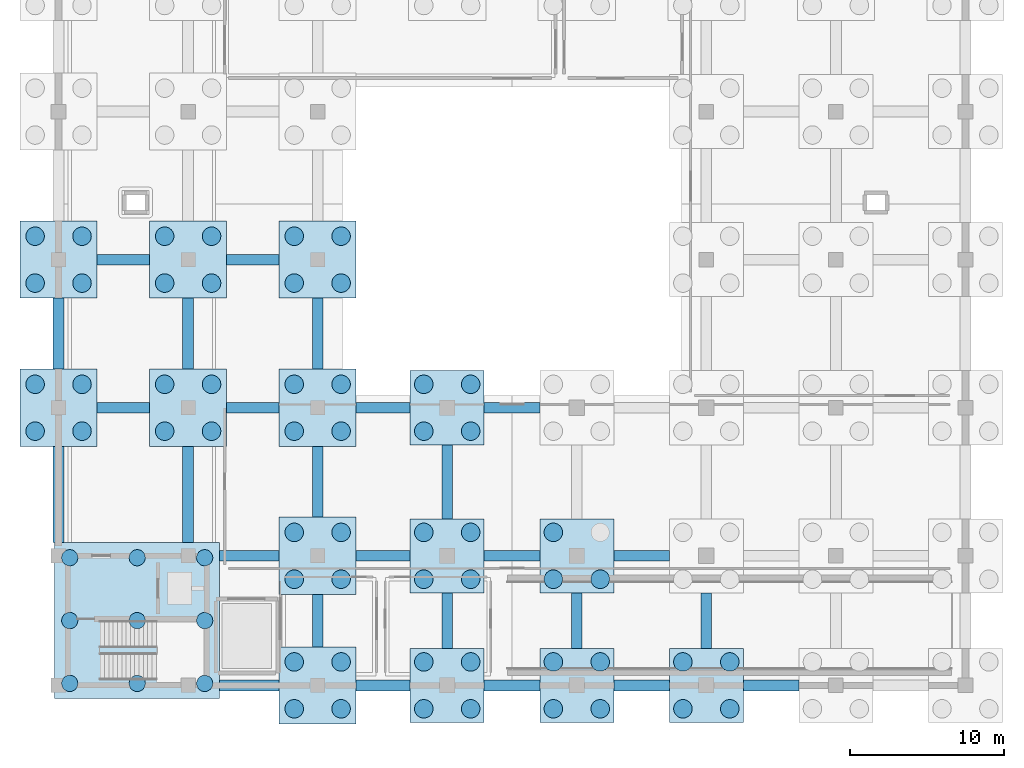
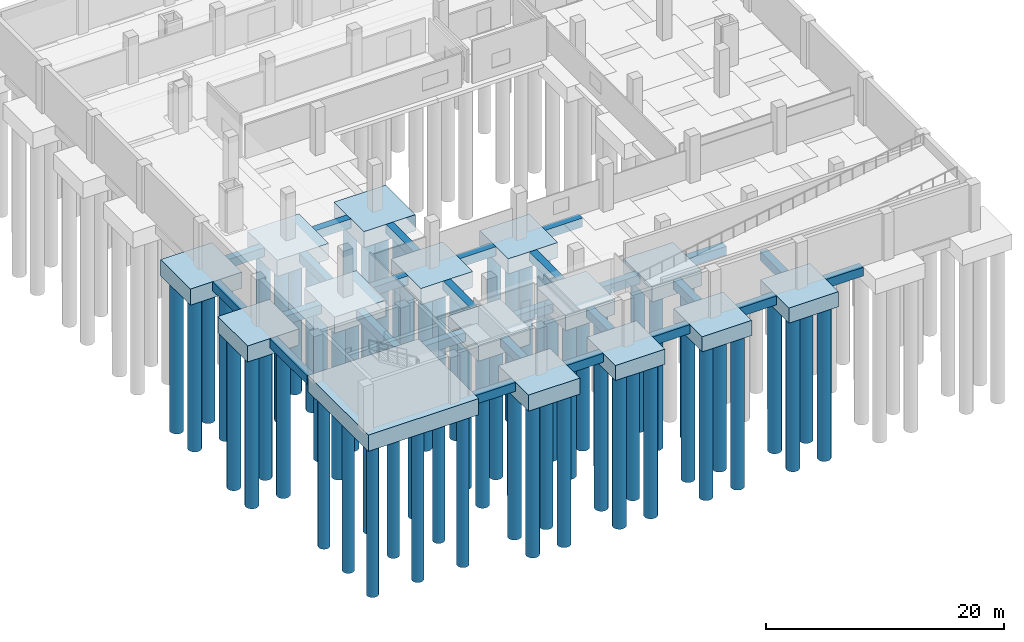
# One storey, part 1 of 12: 64 piles, 41 footings.
"""IFC4 building model written with IfcOpenShell, lengths in metres."""

from ifc_helpers import new_model, si_unit, direction, frame, origin, origin_2d, place, context, subcontext, project, spatial, polyline, circle, outline, extrude, material, layer, layer_set, material_profile, profile_set, type_object, element, save


model = new_model("IFC4")

# Units and contexts
model_context = context("Model", 3, precision=1e-05, world=origin(), true_north=direction((0.0, 1.0)))
body_context = subcontext(model_context, "Body", "Model", "MODEL_VIEW")
ifc_project = project(units=[si_unit("LENGTHUNIT", "METRE"), si_unit("AREAUNIT", "SQUARE_METRE"), si_unit("VOLUMEUNIT", "CUBIC_METRE"), si_unit("PLANEANGLEUNIT", "RADIAN"), si_unit("MASSUNIT", "GRAM", prefix="KILO")], contexts=[model_context])

# Site, building, storey
site_placement = place(None, origin())
site = spatial("IfcSite", under=ifc_project, at=site_placement, CompositionType="ELEMENT")
building_placement = place(site_placement, origin())
building = spatial("IfcBuilding", under=site, at=building_placement, Name="Zulmaris Art Gallery", CompositionType="ELEMENT")
storey_placement = place(building_placement, frame((0.0, 0.0, -4.800048828125)))
storey = spatial("IfcBuildingStorey", under=building, at=storey_placement, Name="B1", CompositionType="ELEMENT", Elevation=-4.800048828125)

# Footings
ifc_material = material(Name="Concrete C40/50", Category="concrete")
ifc_layer_1 = layer(ifc_material, 0.89990234375)
ifc_layer_set_1 = layer_set([ifc_layer_1], Name="Concrete C40/50")
footing_type_1 = type_object("IfcFootingType", Name="FTG-GB02", PredefinedType="FOOTING_BEAM", material=ifc_layer_set_1)
footing_1_placement = place(storey_placement, frame((0.0, 0.0, -0.89990234375)))
element("IfcFooting", 1, at=footing_1_placement, inside=storey, type_object=footing_type_1, Name="B1 ground tie beam X", PredefinedType="FOOTING_BEAM", context=body_context, shape_type="SweptSolid", body=[
    extrude(outline(polyline([(152.050048828125, 12.85009765625), (155.89990234375, 12.85009765625), (155.89990234375, 13.550048828125), (152.050048828125, 13.550048828125), (152.050048828125, 12.85009765625)])), origin(), (0.0, 0.0, 1.0), 0.89990234375),
])
footing_2_placement = place(storey_placement, frame((0.0, 0.0, -0.89990234375)))
element("IfcFooting", 2, at=footing_2_placement, inside=storey, type_object=footing_type_1, Name="B1 ground tie beam X", PredefinedType="FOOTING_BEAM", context=body_context, shape_type="SweptSolid", body=[
    extrude(outline(polyline([(160.89990234375, 12.85009765625), (164.39990234375, 12.85009765625), (164.39990234375, 13.550048828125), (160.89990234375, 13.550048828125), (160.89990234375, 12.85009765625)])), origin(), (0.0, 0.0, 1.0), 0.89990234375),
])
footing_3_placement = place(storey_placement, frame((0.0, 0.0, -0.89990234375)))
element("IfcFooting", 3, at=footing_3_placement, inside=storey, type_object=footing_type_1, Name="B1 ground tie beam X", PredefinedType="FOOTING_BEAM", context=body_context, shape_type="SweptSolid", body=[
    extrude(outline(polyline([(169.199951171875, 12.85009765625), (172.800048828125, 12.85009765625), (172.800048828125, 13.550048828125), (169.199951171875, 13.550048828125), (169.199951171875, 12.85009765625)])), origin(), (0.0, 0.0, 1.0), 0.89990234375),
])
footing_4_placement = place(storey_placement, frame((0.0, 0.0, -0.89990234375)))
element("IfcFooting", 4, at=footing_4_placement, inside=storey, type_object=footing_type_1, Name="B1 ground tie beam X", PredefinedType="FOOTING_BEAM", context=body_context, shape_type="SweptSolid", body=[
    extrude(outline(polyline([(177.60009765625, 12.85009765625), (181.199951171875, 12.85009765625), (181.199951171875, 13.550048828125), (177.60009765625, 13.550048828125), (177.60009765625, 12.85009765625)])), origin(), (0.0, 0.0, 1.0), 0.89990234375),
])
footing_5_placement = place(storey_placement, frame((0.0, 0.0, -0.89990234375)))
element("IfcFooting", 5, at=footing_5_placement, inside=storey, type_object=footing_type_1, Name="B1 ground tie beam X", PredefinedType="FOOTING_BEAM", context=body_context, shape_type="SweptSolid", body=[
    extrude(outline(polyline([(186.0, 12.85009765625), (189.60009765625, 12.85009765625), (189.60009765625, 13.550048828125), (186.0, 13.550048828125), (186.0, 12.85009765625)])), origin(), (0.0, 0.0, 1.0), 0.89990234375),
])
footing_6_placement = place(storey_placement, frame((0.0, 0.0, -0.89990234375)))
element("IfcFooting", 6, at=footing_6_placement, inside=storey, type_object=footing_type_1, Name="B1 ground tie beam X", PredefinedType="FOOTING_BEAM", context=body_context, shape_type="SweptSolid", body=[
    extrude(outline(polyline([(152.050048828125, 21.25), (155.89990234375, 21.25), (155.89990234375, 21.949951171875), (152.050048828125, 21.949951171875), (152.050048828125, 21.25)])), origin(), (0.0, 0.0, 1.0), 0.89990234375),
])
footing_7_placement = place(storey_placement, frame((0.0, 0.0, -0.89990234375)))
element("IfcFooting", 7, at=footing_7_placement, inside=storey, type_object=footing_type_1, Name="B1 ground tie beam X", PredefinedType="FOOTING_BEAM", context=body_context, shape_type="SweptSolid", body=[
    extrude(outline(polyline([(160.89990234375, 21.25), (164.39990234375, 21.25), (164.39990234375, 21.949951171875), (160.89990234375, 21.949951171875), (160.89990234375, 21.25)])), origin(), (0.0, 0.0, 1.0), 0.89990234375),
])
footing_8_placement = place(storey_placement, frame((0.0, 0.0, -0.89990234375)))
element("IfcFooting", 8, at=footing_8_placement, inside=storey, type_object=footing_type_1, Name="B1 ground tie beam X", PredefinedType="FOOTING_BEAM", context=body_context, shape_type="SweptSolid", body=[
    extrude(outline(polyline([(169.199951171875, 21.25), (172.800048828125, 21.25), (172.800048828125, 21.949951171875), (169.199951171875, 21.949951171875), (169.199951171875, 21.25)])), origin(), (0.0, 0.0, 1.0), 0.89990234375),
])
footing_9_placement = place(storey_placement, frame((0.0, 0.0, -0.89990234375)))
element("IfcFooting", 9, at=footing_9_placement, inside=storey, type_object=footing_type_1, Name="B1 ground tie beam X", PredefinedType="FOOTING_BEAM", context=body_context, shape_type="SweptSolid", body=[
    extrude(outline(polyline([(177.60009765625, 21.25), (181.199951171875, 21.25), (181.199951171875, 21.949951171875), (177.60009765625, 21.949951171875), (177.60009765625, 21.25)])), origin(), (0.0, 0.0, 1.0), 0.89990234375),
])
footing_10_placement = place(storey_placement, frame((0.0, 0.0, -0.89990234375)))
element("IfcFooting", 10, at=footing_10_placement, inside=storey, type_object=footing_type_1, Name="B1 ground tie beam X", PredefinedType="FOOTING_BEAM", context=body_context, shape_type="SweptSolid", body=[
    extrude(outline(polyline([(144.10009765625, 30.85009765625), (147.5, 30.85009765625), (147.5, 31.550048828125), (144.10009765625, 31.550048828125), (144.10009765625, 30.85009765625)])), origin(), (0.0, 0.0, 1.0), 0.89990234375),
])
footing_11_placement = place(storey_placement, frame((0.0, 0.0, -0.89990234375)))
element("IfcFooting", 11, at=footing_11_placement, inside=storey, type_object=footing_type_1, Name="B1 ground tie beam X", PredefinedType="FOOTING_BEAM", context=body_context, shape_type="SweptSolid", body=[
    extrude(outline(polyline([(152.5, 30.85009765625), (155.89990234375, 30.85009765625), (155.89990234375, 31.550048828125), (152.5, 31.550048828125), (152.5, 30.85009765625)])), origin(), (0.0, 0.0, 1.0), 0.89990234375),
])
footing_12_placement = place(storey_placement, frame((0.0, 0.0, -0.89990234375)))
element("IfcFooting", 12, at=footing_12_placement, inside=storey, type_object=footing_type_1, Name="B1 ground tie beam X", PredefinedType="FOOTING_BEAM", context=body_context, shape_type="SweptSolid", body=[
    extrude(outline(polyline([(160.89990234375, 30.85009765625), (164.39990234375, 30.85009765625), (164.39990234375, 31.550048828125), (160.89990234375, 31.550048828125), (160.89990234375, 30.85009765625)])), origin(), (0.0, 0.0, 1.0), 0.89990234375),
])
footing_13_placement = place(storey_placement, frame((0.0, 0.0, -0.89990234375)))
element("IfcFooting", 13, at=footing_13_placement, inside=storey, type_object=footing_type_1, Name="B1 ground tie beam X", PredefinedType="FOOTING_BEAM", context=body_context, shape_type="SweptSolid", body=[
    extrude(outline(polyline([(169.199951171875, 30.85009765625), (172.800048828125, 30.85009765625), (172.800048828125, 31.550048828125), (169.199951171875, 31.550048828125), (169.199951171875, 30.85009765625)])), origin(), (0.0, 0.0, 1.0), 0.89990234375),
])
footing_14_placement = place(storey_placement, frame((0.0, 0.0, -0.89990234375)))
element("IfcFooting", 14, at=footing_14_placement, inside=storey, type_object=footing_type_1, Name="B1 ground tie beam X", PredefinedType="FOOTING_BEAM", context=body_context, shape_type="SweptSolid", body=[
    extrude(outline(polyline([(144.10009765625, 40.449951171875), (147.5, 40.449951171875), (147.5, 41.14990234375), (144.10009765625, 41.14990234375), (144.10009765625, 40.449951171875)])), origin(), (0.0, 0.0, 1.0), 0.89990234375),
])
footing_15_placement = place(storey_placement, frame((0.0, 0.0, -0.89990234375)))
element("IfcFooting", 15, at=footing_15_placement, inside=storey, type_object=footing_type_1, Name="B1 ground tie beam X", PredefinedType="FOOTING_BEAM", context=body_context, shape_type="SweptSolid", body=[
    extrude(outline(polyline([(152.5, 40.449951171875), (155.89990234375, 40.449951171875), (155.89990234375, 41.14990234375), (152.5, 41.14990234375), (152.5, 40.449951171875)])), origin(), (0.0, 0.0, 1.0), 0.89990234375),
])
footing_16_placement = place(storey_placement, frame((0.0, 0.0, -0.89990234375)))
element("IfcFooting", 16, at=footing_16_placement, inside=storey, type_object=footing_type_1, Name="B1 ground tie beam Y", PredefinedType="FOOTING_BEAM", context=body_context, shape_type="SweptSolid", body=[
    extrude(outline(polyline([(141.25, 22.449951171875), (141.949951171875, 22.449951171875), (141.949951171875, 28.699951171875), (141.25, 28.699951171875), (141.25, 22.449951171875)])), origin(), (0.0, 0.0, 1.0), 0.89990234375),
])
footing_17_placement = place(storey_placement, frame((0.0, 0.0, -0.89990234375)))
element("IfcFooting", 17, at=footing_17_placement, inside=storey, type_object=footing_type_1, Name="B1 ground tie beam Y", PredefinedType="FOOTING_BEAM", context=body_context, shape_type="SweptSolid", body=[
    extrude(outline(polyline([(141.25, 33.699951171875), (141.949951171875, 33.699951171875), (141.949951171875, 38.300048828125), (141.25, 38.300048828125), (141.25, 33.699951171875)])), origin(), (0.0, 0.0, 1.0), 0.89990234375),
])
footing_18_placement = place(storey_placement, frame((0.0, 0.0, -0.89990234375)))
element("IfcFooting", 18, at=footing_18_placement, inside=storey, type_object=footing_type_1, Name="B1 ground tie beam Y", PredefinedType="FOOTING_BEAM", context=body_context, shape_type="SweptSolid", body=[
    extrude(outline(polyline([(149.64990234375, 22.449951171875), (150.35009765625, 22.449951171875), (150.35009765625, 28.699951171875), (149.64990234375, 28.699951171875), (149.64990234375, 22.449951171875)])), origin(), (0.0, 0.0, 1.0), 0.89990234375),
])
footing_19_placement = place(storey_placement, frame((0.0, 0.0, -0.89990234375)))
element("IfcFooting", 19, at=footing_19_placement, inside=storey, type_object=footing_type_1, Name="B1 ground tie beam Y", PredefinedType="FOOTING_BEAM", context=body_context, shape_type="SweptSolid", body=[
    extrude(outline(polyline([(149.64990234375, 33.699951171875), (150.35009765625, 33.699951171875), (150.35009765625, 38.300048828125), (149.64990234375, 38.300048828125), (149.64990234375, 33.699951171875)])), origin(), (0.0, 0.0, 1.0), 0.89990234375),
])
footing_20_placement = place(storey_placement, frame((0.0, 0.0, -0.89990234375)))
element("IfcFooting", 20, at=footing_20_placement, inside=storey, type_object=footing_type_1, Name="B1 ground tie beam Y", PredefinedType="FOOTING_BEAM", context=body_context, shape_type="SweptSolid", body=[
    extrude(outline(polyline([(158.050048828125, 15.699951171875), (158.75, 15.699951171875), (158.75, 19.10009765625), (158.050048828125, 19.10009765625), (158.050048828125, 15.699951171875)])), origin(), (0.0, 0.0, 1.0), 0.89990234375),
])
footing_21_placement = place(storey_placement, frame((0.0, 0.0, -0.89990234375)))
element("IfcFooting", 21, at=footing_21_placement, inside=storey, type_object=footing_type_1, Name="B1 ground tie beam Y", PredefinedType="FOOTING_BEAM", context=body_context, shape_type="SweptSolid", body=[
    extrude(outline(polyline([(158.050048828125, 24.10009765625), (158.75, 24.10009765625), (158.75, 28.699951171875), (158.050048828125, 28.699951171875), (158.050048828125, 24.10009765625)])), origin(), (0.0, 0.0, 1.0), 0.89990234375),
])
footing_22_placement = place(storey_placement, frame((0.0, 0.0, -0.89990234375)))
element("IfcFooting", 22, at=footing_22_placement, inside=storey, type_object=footing_type_1, Name="B1 ground tie beam Y", PredefinedType="FOOTING_BEAM", context=body_context, shape_type="SweptSolid", body=[
    extrude(outline(polyline([(158.050048828125, 33.699951171875), (158.75, 33.699951171875), (158.75, 38.300048828125), (158.050048828125, 38.300048828125), (158.050048828125, 33.699951171875)])), origin(), (0.0, 0.0, 1.0), 0.89990234375),
])
footing_23_placement = place(storey_placement, frame((0.0, 0.0, -0.89990234375)))
element("IfcFooting", 23, at=footing_23_placement, inside=storey, type_object=footing_type_1, Name="B1 ground tie beam Y", PredefinedType="FOOTING_BEAM", context=body_context, shape_type="SweptSolid", body=[
    extrude(outline(polyline([(166.449951171875, 15.60009765625), (167.14990234375, 15.60009765625), (167.14990234375, 19.199951171875), (166.449951171875, 19.199951171875), (166.449951171875, 15.60009765625)])), origin(), (0.0, 0.0, 1.0), 0.89990234375),
])
footing_24_placement = place(storey_placement, frame((0.0, 0.0, -0.89990234375)))
element("IfcFooting", 24, at=footing_24_placement, inside=storey, type_object=footing_type_1, Name="B1 ground tie beam Y", PredefinedType="FOOTING_BEAM", context=body_context, shape_type="SweptSolid", body=[
    extrude(outline(polyline([(166.449951171875, 24.0), (167.14990234375, 24.0), (167.14990234375, 28.800048828125), (166.449951171875, 28.800048828125), (166.449951171875, 24.0)])), origin(), (0.0, 0.0, 1.0), 0.89990234375),
])
footing_25_placement = place(storey_placement, frame((0.0, 0.0, -0.89990234375)))
element("IfcFooting", 25, at=footing_25_placement, inside=storey, type_object=footing_type_1, Name="B1 ground tie beam Y", PredefinedType="FOOTING_BEAM", context=body_context, shape_type="SweptSolid", body=[
    extrude(outline(polyline([(174.85009765625, 15.60009765625), (175.550048828125, 15.60009765625), (175.550048828125, 19.199951171875), (174.85009765625, 19.199951171875), (174.85009765625, 15.60009765625)])), origin(), (0.0, 0.0, 1.0), 0.89990234375),
])
footing_26_placement = place(storey_placement, frame((0.0, 0.0, -0.89990234375)))
element("IfcFooting", 26, at=footing_26_placement, inside=storey, type_object=footing_type_1, Name="B1 ground tie beam Y", PredefinedType="FOOTING_BEAM", context=body_context, shape_type="SweptSolid", body=[
    extrude(outline(polyline([(183.25, 15.60009765625), (183.949951171875, 15.60009765625), (183.949951171875, 19.199951171875), (183.25, 19.199951171875), (183.25, 15.60009765625)])), origin(), (0.0, 0.0, 1.0), 0.89990234375),
])
ifc_layer_2 = layer(ifc_material, 1.669921875)
ifc_layer_set_2 = layer_set([ifc_layer_2], Name="Concrete C40/50")
footing_type_2 = type_object("IfcFootingType", Name="FTG-MAT-C3", PredefinedType="PILE_CAP", material=ifc_layer_set_2)
footing_27_placement = place(storey_placement, frame((0.0, 0.0, -1.669921875)))
element("IfcFooting", 27, at=footing_27_placement, inside=storey, type_object=footing_type_2, Name="Core C3 pile cap", PredefinedType="PILE_CAP", context=body_context, shape_type="SweptSolid", body=[
    extrude(outline(polyline([(141.35009765625, 12.35009765625), (152.050048828125, 12.35009765625), (152.050048828125, 22.449951171875), (141.35009765625, 22.449951171875), (141.35009765625, 12.35009765625)])), origin(), (0.0, 0.0, 1.0), 1.669921875),
])
ifc_layer_3 = layer(ifc_material, 1.550048828125)
ifc_layer_set_3 = layer_set([ifc_layer_3], Name="Concrete C40/50")
footing_type_3 = type_object("IfcFootingType", Name="FTG-PC03", PredefinedType="PILE_CAP", material=ifc_layer_set_3)
footing_28_placement = place(storey_placement, frame((0.0, 0.0, -1.550048828125)))
element("IfcFooting", 28, at=footing_28_placement, inside=storey, type_object=footing_type_3, Name="B1 pile cap PC03 at (166.8, 13.2)", PredefinedType="PILE_CAP", context=body_context, shape_type="SweptSolid", body=[
    extrude(outline(polyline([(164.39990234375, 10.800048828125), (169.199951171875, 10.800048828125), (169.199951171875, 15.60009765625), (164.39990234375, 15.60009765625), (164.39990234375, 10.800048828125)])), origin(), (0.0, 0.0, 1.0), 1.550048828125),
])
footing_29_placement = place(storey_placement, frame((0.0, 0.0, -1.550048828125)))
element("IfcFooting", 29, at=footing_29_placement, inside=storey, type_object=footing_type_3, Name="B1 pile cap PC03 at (166.8, 21.6)", PredefinedType="PILE_CAP", context=body_context, shape_type="SweptSolid", body=[
    extrude(outline(polyline([(164.39990234375, 19.199951171875), (169.199951171875, 19.199951171875), (169.199951171875, 24.0), (164.39990234375, 24.0), (164.39990234375, 19.199951171875)])), origin(), (0.0, 0.0, 1.0), 1.550048828125),
])
footing_30_placement = place(storey_placement, frame((0.0, 0.0, -1.550048828125)))
element("IfcFooting", 30, at=footing_30_placement, inside=storey, type_object=footing_type_3, Name="B1 pile cap PC03 at (166.8, 31.2)", PredefinedType="PILE_CAP", context=body_context, shape_type="SweptSolid", body=[
    extrude(outline(polyline([(164.39990234375, 28.800048828125), (169.199951171875, 28.800048828125), (169.199951171875, 33.60009765625), (164.39990234375, 33.60009765625), (164.39990234375, 28.800048828125)])), origin(), (0.0, 0.0, 1.0), 1.550048828125),
])
footing_31_placement = place(storey_placement, frame((0.0, 0.0, -1.550048828125)))
element("IfcFooting", 31, at=footing_31_placement, inside=storey, type_object=footing_type_3, Name="B1 pile cap PC03 at (175.2, 13.2)", PredefinedType="PILE_CAP", context=body_context, shape_type="SweptSolid", body=[
    extrude(outline(polyline([(172.800048828125, 10.800048828125), (177.60009765625, 10.800048828125), (177.60009765625, 15.60009765625), (172.800048828125, 15.60009765625), (172.800048828125, 10.800048828125)])), origin(), (0.0, 0.0, 1.0), 1.550048828125),
])
footing_32_placement = place(storey_placement, frame((0.0, 0.0, -1.550048828125)))
element("IfcFooting", 32, at=footing_32_placement, inside=storey, type_object=footing_type_3, Name="B1 pile cap PC03 at (175.2, 21.6)", PredefinedType="PILE_CAP", context=body_context, shape_type="SweptSolid", body=[
    extrude(outline(polyline([(172.800048828125, 19.199951171875), (177.60009765625, 19.199951171875), (177.60009765625, 24.0), (172.800048828125, 24.0), (172.800048828125, 19.199951171875)])), origin(), (0.0, 0.0, 1.0), 1.550048828125),
])
footing_33_placement = place(storey_placement, frame((0.0, 0.0, -1.550048828125)))
element("IfcFooting", 33, at=footing_33_placement, inside=storey, type_object=footing_type_3, Name="B1 pile cap PC03 at (183.6, 13.2)", PredefinedType="PILE_CAP", context=body_context, shape_type="SweptSolid", body=[
    extrude(outline(polyline([(181.199951171875, 10.800048828125), (186.0, 10.800048828125), (186.0, 15.60009765625), (181.199951171875, 15.60009765625), (181.199951171875, 10.800048828125)])), origin(), (0.0, 0.0, 1.0), 1.550048828125),
])
ifc_layer_4 = layer(ifc_material, 1.64990234375)
ifc_layer_set_4 = layer_set([ifc_layer_4], Name="Concrete C40/50")
footing_type_4 = type_object("IfcFootingType", Name="FTG-PC04", PredefinedType="PILE_CAP", material=ifc_layer_set_4)
footing_34_placement = place(storey_placement, frame((0.0, 0.0, -1.64990234375)))
element("IfcFooting", 34, at=footing_34_placement, inside=storey, type_object=footing_type_4, Name="B1 pile cap PC04 at (141.6, 31.2)", PredefinedType="PILE_CAP", context=body_context, shape_type="SweptSolid", body=[
    extrude(outline(polyline([(139.10009765625, 28.699951171875), (144.10009765625, 28.699951171875), (144.10009765625, 33.699951171875), (139.10009765625, 33.699951171875), (139.10009765625, 28.699951171875)])), origin(), (0.0, 0.0, 1.0), 1.64990234375),
])
footing_35_placement = place(storey_placement, frame((0.0, 0.0, -1.64990234375)))
element("IfcFooting", 35, at=footing_35_placement, inside=storey, type_object=footing_type_4, Name="B1 pile cap PC04 at (141.6, 40.8)", PredefinedType="PILE_CAP", context=body_context, shape_type="SweptSolid", body=[
    extrude(outline(polyline([(139.10009765625, 38.300048828125), (144.10009765625, 38.300048828125), (144.10009765625, 43.300048828125), (139.10009765625, 43.300048828125), (139.10009765625, 38.300048828125)])), origin(), (0.0, 0.0, 1.0), 1.64990234375),
])
footing_36_placement = place(storey_placement, frame((0.0, 0.0, -1.64990234375)))
element("IfcFooting", 36, at=footing_36_placement, inside=storey, type_object=footing_type_4, Name="B1 pile cap PC04 at (150.0, 31.2)", PredefinedType="PILE_CAP", context=body_context, shape_type="SweptSolid", body=[
    extrude(outline(polyline([(147.5, 28.699951171875), (152.5, 28.699951171875), (152.5, 33.699951171875), (147.5, 33.699951171875), (147.5, 28.699951171875)])), origin(), (0.0, 0.0, 1.0), 1.64990234375),
])
footing_37_placement = place(storey_placement, frame((0.0, 0.0, -1.64990234375)))
element("IfcFooting", 37, at=footing_37_placement, inside=storey, type_object=footing_type_4, Name="B1 pile cap PC04 at (150.0, 40.8)", PredefinedType="PILE_CAP", context=body_context, shape_type="SweptSolid", body=[
    extrude(outline(polyline([(147.5, 38.300048828125), (152.5, 38.300048828125), (152.5, 43.300048828125), (147.5, 43.300048828125), (147.5, 38.300048828125)])), origin(), (0.0, 0.0, 1.0), 1.64990234375),
])
footing_38_placement = place(storey_placement, frame((0.0, 0.0, -1.64990234375)))
element("IfcFooting", 38, at=footing_38_placement, inside=storey, type_object=footing_type_4, Name="B1 pile cap PC04 at (158.4, 13.2)", PredefinedType="PILE_CAP", context=body_context, shape_type="SweptSolid", body=[
    extrude(outline(polyline([(155.89990234375, 10.699951171875), (160.89990234375, 10.699951171875), (160.89990234375, 15.699951171875), (155.89990234375, 15.699951171875), (155.89990234375, 10.699951171875)])), origin(), (0.0, 0.0, 1.0), 1.64990234375),
])
footing_39_placement = place(storey_placement, frame((0.0, 0.0, -1.64990234375)))
element("IfcFooting", 39, at=footing_39_placement, inside=storey, type_object=footing_type_4, Name="B1 pile cap PC04 at (158.4, 21.6)", PredefinedType="PILE_CAP", context=body_context, shape_type="SweptSolid", body=[
    extrude(outline(polyline([(155.89990234375, 19.10009765625), (160.89990234375, 19.10009765625), (160.89990234375, 24.10009765625), (155.89990234375, 24.10009765625), (155.89990234375, 19.10009765625)])), origin(), (0.0, 0.0, 1.0), 1.64990234375),
])
footing_40_placement = place(storey_placement, frame((0.0, 0.0, -1.64990234375)))
element("IfcFooting", 40, at=footing_40_placement, inside=storey, type_object=footing_type_4, Name="B1 pile cap PC04 at (158.4, 31.2)", PredefinedType="PILE_CAP", context=body_context, shape_type="SweptSolid", body=[
    extrude(outline(polyline([(155.89990234375, 28.699951171875), (160.89990234375, 28.699951171875), (160.89990234375, 33.699951171875), (155.89990234375, 33.699951171875), (155.89990234375, 28.699951171875)])), origin(), (0.0, 0.0, 1.0), 1.64990234375),
])
footing_41_placement = place(storey_placement, frame((0.0, 0.0, -1.64990234375)))
element("IfcFooting", 41, at=footing_41_placement, inside=storey, type_object=footing_type_4, Name="B1 pile cap PC04 at (158.4, 40.8)", PredefinedType="PILE_CAP", context=body_context, shape_type="SweptSolid", body=[
    extrude(outline(polyline([(155.89990234375, 38.300048828125), (160.89990234375, 38.300048828125), (160.89990234375, 43.300048828125), (155.89990234375, 43.300048828125), (155.89990234375, 38.300048828125)])), origin(), (0.0, 0.0, 1.0), 1.64990234375),
])

# Piles
ifc_material_profile_1 = material_profile(ifc_material, circle(Radius=0.52490234375, at=origin_2d()), Name="PILE DIA 1050")
ifc_profile_set_1 = profile_set([ifc_material_profile_1], Name="Concrete C40/50")
pile_type_1 = type_object("IfcPileType", Name="PILE-1050", PredefinedType="BORED", material=ifc_profile_set_1)
for number, where, z_axis, x_axis, name in (
    (42, (142.324951171875, 13.324951171875, -1.570068359375), (0.0, 0.0, -1.0), (1.0, 0.0, 0.0), "Core C3 bored pile 1"),
    (43, (142.324951171875, 17.39990234375, -1.570068359375), (0.0, 0.0, -1.0), (1.0, 0.0, 0.0), "Core C3 bored pile 2"),
    (44, (142.324951171875, 21.47509765625, -1.570068359375), (0.0, 0.0, -1.0), (1.0, 0.0, 0.0), "Core C3 bored pile 3"),
    (45, (146.699951171875, 13.324951171875, -1.570068359375), (0.0, 0.0, -1.0), (1.0, 0.0, 0.0), "Core C3 bored pile 4"),
    (46, (146.699951171875, 17.39990234375, -1.570068359375), (0.0, 0.0, -1.0), (1.0, 0.0, 0.0), "Core C3 bored pile 5"),
    (47, (146.699951171875, 21.47509765625, -1.570068359375), (0.0, 0.0, -1.0), (1.0, 0.0, 0.0), "Core C3 bored pile 6"),
    (48, (151.074951171875, 13.324951171875, -1.570068359375), (0.0, 0.0, -1.0), (1.0, 0.0, 0.0), "Core C3 bored pile 7"),
    (49, (151.074951171875, 17.39990234375, -1.570068359375), (0.0, 0.0, -1.0), (1.0, 0.0, 0.0), "Core C3 bored pile 8"),
    (50, (151.074951171875, 21.47509765625, -1.570068359375), (0.0, 0.0, -1.0), (1.0, 0.0, 0.0), "Core C3 bored pile 9"),
):
    element("IfcPile", number, at=place(storey_placement, frame(where, z_axis=z_axis, x_axis=x_axis)), inside=storey, type_object=pile_type_1, Name=name, PredefinedType="BORED", context=body_context, shape_type="SweptSolid", body=[
        extrude(circle(Radius=0.52490234375, at=origin_2d()), origin(), (0.0, 0.0, 1.0), 15.6298828125),
    ])
ifc_material_profile_2 = material_profile(ifc_material, circle(Radius=0.60009765625, at=origin_2d()), Name="PILE DIA 1200")
ifc_profile_set_2 = profile_set([ifc_material_profile_2], Name="Concrete C40/50")
pile_type_2 = type_object("IfcPileType", Name="PILE-1200", PredefinedType="BORED", material=ifc_profile_set_2)
for number, where, z_axis, x_axis, name in (
    (51, (140.080078125, 29.679931640625, -1.550048828125), (0.0, 0.0, -1.0), (1.0, 0.0, 0.0), "B1 bored pile 1 under FTG-CAP-B1-1416-312"),
    (52, (143.1201171875, 29.679931640625, -1.550048828125), (0.0, 0.0, -1.0), (1.0, 0.0, 0.0), "B1 bored pile 2 under FTG-CAP-B1-1416-312"),
    (53, (140.080078125, 32.719970703125, -1.550048828125), (0.0, 0.0, -1.0), (1.0, 0.0, 0.0), "B1 bored pile 3 under FTG-CAP-B1-1416-312"),
    (54, (143.1201171875, 32.719970703125, -1.550048828125), (0.0, 0.0, -1.0), (1.0, 0.0, 0.0), "B1 bored pile 4 under FTG-CAP-B1-1416-312"),
    (55, (140.080078125, 39.280029296875, -1.550048828125), (0.0, 0.0, -1.0), (1.0, 0.0, 0.0), "B1 bored pile 1 under FTG-CAP-B1-1416-408"),
    (56, (143.1201171875, 39.280029296875, -1.550048828125), (0.0, 0.0, -1.0), (1.0, 0.0, 0.0), "B1 bored pile 2 under FTG-CAP-B1-1416-408"),
    (57, (140.080078125, 42.320068359375, -1.550048828125), (0.0, 0.0, -1.0), (1.0, 0.0, 0.0), "B1 bored pile 3 under FTG-CAP-B1-1416-408"),
    (58, (143.1201171875, 42.320068359375, -1.550048828125), (0.0, 0.0, -1.0), (1.0, 0.0, 0.0), "B1 bored pile 4 under FTG-CAP-B1-1416-408"),
    (59, (148.47998046875, 29.679931640625, -1.550048828125), (0.0, 0.0, -1.0), (1.0, 0.0, 0.0), "B1 bored pile 1 under FTG-CAP-B1-1500-312"),
    (60, (151.52001953125, 29.679931640625, -1.550048828125), (0.0, 0.0, -1.0), (1.0, 0.0, 0.0), "B1 bored pile 2 under FTG-CAP-B1-1500-312"),
    (61, (148.47998046875, 32.719970703125, -1.550048828125), (0.0, 0.0, -1.0), (1.0, 0.0, 0.0), "B1 bored pile 3 under FTG-CAP-B1-1500-312"),
    (62, (151.52001953125, 32.719970703125, -1.550048828125), (0.0, 0.0, -1.0), (1.0, 0.0, 0.0), "B1 bored pile 4 under FTG-CAP-B1-1500-312"),
    (63, (148.47998046875, 39.280029296875, -1.550048828125), (0.0, 0.0, -1.0), (1.0, 0.0, 0.0), "B1 bored pile 1 under FTG-CAP-B1-1500-408"),
    (64, (151.52001953125, 39.280029296875, -1.550048828125), (0.0, 0.0, -1.0), (1.0, 0.0, 0.0), "B1 bored pile 2 under FTG-CAP-B1-1500-408"),
    (65, (148.47998046875, 42.320068359375, -1.550048828125), (0.0, 0.0, -1.0), (1.0, 0.0, 0.0), "B1 bored pile 3 under FTG-CAP-B1-1500-408"),
    (66, (151.52001953125, 42.320068359375, -1.550048828125), (0.0, 0.0, -1.0), (1.0, 0.0, 0.0), "B1 bored pile 4 under FTG-CAP-B1-1500-408"),
    (67, (156.8798828125, 11.679931640625, -1.550048828125), (0.0, 0.0, -1.0), (1.0, 0.0, 0.0), "B1 bored pile 1 under FTG-CAP-B1-1584-132"),
    (68, (159.919921875, 11.679931640625, -1.550048828125), (0.0, 0.0, -1.0), (1.0, 0.0, 0.0), "B1 bored pile 2 under FTG-CAP-B1-1584-132"),
    (69, (156.8798828125, 14.719970703125, -1.550048828125), (0.0, 0.0, -1.0), (1.0, 0.0, 0.0), "B1 bored pile 3 under FTG-CAP-B1-1584-132"),
    (70, (159.919921875, 14.719970703125, -1.550048828125), (0.0, 0.0, -1.0), (1.0, 0.0, 0.0), "B1 bored pile 4 under FTG-CAP-B1-1584-132"),
    (71, (156.8798828125, 20.080078125, -1.550048828125), (0.0, 0.0, -1.0), (1.0, 0.0, 0.0), "B1 bored pile 1 under FTG-CAP-B1-1584-216"),
    (72, (159.919921875, 20.080078125, -1.550048828125), (0.0, 0.0, -1.0), (1.0, 0.0, 0.0), "B1 bored pile 2 under FTG-CAP-B1-1584-216"),
    (73, (156.8798828125, 23.1201171875, -1.550048828125), (0.0, 0.0, -1.0), (1.0, 0.0, 0.0), "B1 bored pile 3 under FTG-CAP-B1-1584-216"),
    (74, (159.919921875, 23.1201171875, -1.550048828125), (0.0, 0.0, -1.0), (1.0, 0.0, 0.0), "B1 bored pile 4 under FTG-CAP-B1-1584-216"),
    (75, (156.8798828125, 29.679931640625, -1.550048828125), (0.0, 0.0, -1.0), (1.0, 0.0, 0.0), "B1 bored pile 1 under FTG-CAP-B1-1584-312"),
    (76, (159.919921875, 29.679931640625, -1.550048828125), (0.0, 0.0, -1.0), (1.0, 0.0, 0.0), "B1 bored pile 2 under FTG-CAP-B1-1584-312"),
    (77, (156.8798828125, 32.719970703125, -1.550048828125), (0.0, 0.0, -1.0), (1.0, 0.0, 0.0), "B1 bored pile 3 under FTG-CAP-B1-1584-312"),
    (78, (159.919921875, 32.719970703125, -1.550048828125), (0.0, 0.0, -1.0), (1.0, 0.0, 0.0), "B1 bored pile 4 under FTG-CAP-B1-1584-312"),
    (79, (156.8798828125, 39.280029296875, -1.550048828125), (0.0, 0.0, -1.0), (1.0, 0.0, 0.0), "B1 bored pile 1 under FTG-CAP-B1-1584-408"),
    (80, (159.919921875, 39.280029296875, -1.550048828125), (0.0, 0.0, -1.0), (1.0, 0.0, 0.0), "B1 bored pile 2 under FTG-CAP-B1-1584-408"),
    (81, (156.8798828125, 42.320068359375, -1.550048828125), (0.0, 0.0, -1.0), (1.0, 0.0, 0.0), "B1 bored pile 3 under FTG-CAP-B1-1584-408"),
    (82, (159.919921875, 42.320068359375, -1.550048828125), (0.0, 0.0, -1.0), (1.0, 0.0, 0.0), "B1 bored pile 4 under FTG-CAP-B1-1584-408"),
):
    element("IfcPile", number, at=place(storey_placement, frame(where, z_axis=z_axis, x_axis=x_axis)), inside=storey, type_object=pile_type_2, Name=name, PredefinedType="BORED", context=body_context, shape_type="SweptSolid", body=[
        extrude(circle(Radius=0.60009765625, at=origin_2d()), origin(), (0.0, 0.0, 1.0), 15.64990234375),
    ])
for number, where, z_axis, x_axis, name in (
    (83, (165.280029296875, 11.679931640625, -1.449951171875), (0.0, 0.0, -1.0), (1.0, 0.0, 0.0), "B1 bored pile 1 under FTG-CAP-B1-1668-132"),
    (84, (168.320068359375, 11.679931640625, -1.449951171875), (0.0, 0.0, -1.0), (1.0, 0.0, 0.0), "B1 bored pile 2 under FTG-CAP-B1-1668-132"),
    (85, (165.280029296875, 14.719970703125, -1.449951171875), (0.0, 0.0, -1.0), (1.0, 0.0, 0.0), "B1 bored pile 3 under FTG-CAP-B1-1668-132"),
    (86, (168.320068359375, 14.719970703125, -1.449951171875), (0.0, 0.0, -1.0), (1.0, 0.0, 0.0), "B1 bored pile 4 under FTG-CAP-B1-1668-132"),
    (87, (165.280029296875, 20.080078125, -1.449951171875), (0.0, 0.0, -1.0), (1.0, 0.0, 0.0), "B1 bored pile 1 under FTG-CAP-B1-1668-216"),
    (88, (168.320068359375, 20.080078125, -1.449951171875), (0.0, 0.0, -1.0), (1.0, 0.0, 0.0), "B1 bored pile 2 under FTG-CAP-B1-1668-216"),
    (89, (165.280029296875, 23.1201171875, -1.449951171875), (0.0, 0.0, -1.0), (1.0, 0.0, 0.0), "B1 bored pile 3 under FTG-CAP-B1-1668-216"),
    (90, (168.320068359375, 23.1201171875, -1.449951171875), (0.0, 0.0, -1.0), (1.0, 0.0, 0.0), "B1 bored pile 4 under FTG-CAP-B1-1668-216"),
    (91, (165.280029296875, 29.679931640625, -1.449951171875), (0.0, 0.0, -1.0), (1.0, 0.0, 0.0), "B1 bored pile 1 under FTG-CAP-B1-1668-312"),
    (92, (168.320068359375, 29.679931640625, -1.449951171875), (0.0, 0.0, -1.0), (1.0, 0.0, 0.0), "B1 bored pile 2 under FTG-CAP-B1-1668-312"),
    (93, (165.280029296875, 32.719970703125, -1.449951171875), (0.0, 0.0, -1.0), (1.0, 0.0, 0.0), "B1 bored pile 3 under FTG-CAP-B1-1668-312"),
    (94, (168.320068359375, 32.719970703125, -1.449951171875), (0.0, 0.0, -1.0), (1.0, 0.0, 0.0), "B1 bored pile 4 under FTG-CAP-B1-1668-312"),
    (95, (173.679931640625, 11.679931640625, -1.449951171875), (0.0, 0.0, -1.0), (1.0, 0.0, 0.0), "B1 bored pile 1 under FTG-CAP-B1-1752-132"),
    (96, (176.719970703125, 11.679931640625, -1.449951171875), (0.0, 0.0, -1.0), (1.0, 0.0, 0.0), "B1 bored pile 2 under FTG-CAP-B1-1752-132"),
    (97, (173.679931640625, 14.719970703125, -1.449951171875), (0.0, 0.0, -1.0), (1.0, 0.0, 0.0), "B1 bored pile 3 under FTG-CAP-B1-1752-132"),
    (98, (176.719970703125, 14.719970703125, -1.449951171875), (0.0, 0.0, -1.0), (1.0, 0.0, 0.0), "B1 bored pile 4 under FTG-CAP-B1-1752-132"),
    (99, (173.679931640625, 20.080078125, -1.449951171875), (0.0, 0.0, -1.0), (1.0, 0.0, 0.0), "B1 bored pile 1 under FTG-CAP-B1-1752-216"),
    (100, (176.719970703125, 20.080078125, -1.449951171875), (0.0, 0.0, -1.0), (1.0, 0.0, 0.0), "B1 bored pile 2 under FTG-CAP-B1-1752-216"),
    (101, (173.679931640625, 23.1201171875, -1.449951171875), (0.0, 0.0, -1.0), (1.0, 0.0, 0.0), "B1 bored pile 3 under FTG-CAP-B1-1752-216"),
    (102, (182.080078125, 11.679931640625, -1.449951171875), (0.0, 0.0, -1.0), (1.0, 0.0, 0.0), "B1 bored pile 1 under FTG-CAP-B1-1836-132"),
    (103, (185.1201171875, 11.679931640625, -1.449951171875), (0.0, 0.0, -1.0), (1.0, 0.0, 0.0), "B1 bored pile 2 under FTG-CAP-B1-1836-132"),
    (104, (182.080078125, 14.719970703125, -1.449951171875), (0.0, 0.0, -1.0), (1.0, 0.0, 0.0), "B1 bored pile 3 under FTG-CAP-B1-1836-132"),
    (105, (185.1201171875, 14.719970703125, -1.449951171875), (0.0, 0.0, -1.0), (1.0, 0.0, 0.0), "B1 bored pile 4 under FTG-CAP-B1-1836-132"),
):
    element("IfcPile", number, at=place(storey_placement, frame(where, z_axis=z_axis, x_axis=x_axis)), inside=storey, type_object=pile_type_2, Name=name, PredefinedType="BORED", context=body_context, shape_type="SweptSolid", body=[
        extrude(circle(Radius=0.60009765625, at=origin_2d()), origin(), (0.0, 0.0, 1.0), 15.75),
    ])

save(model, "model.ifc")
